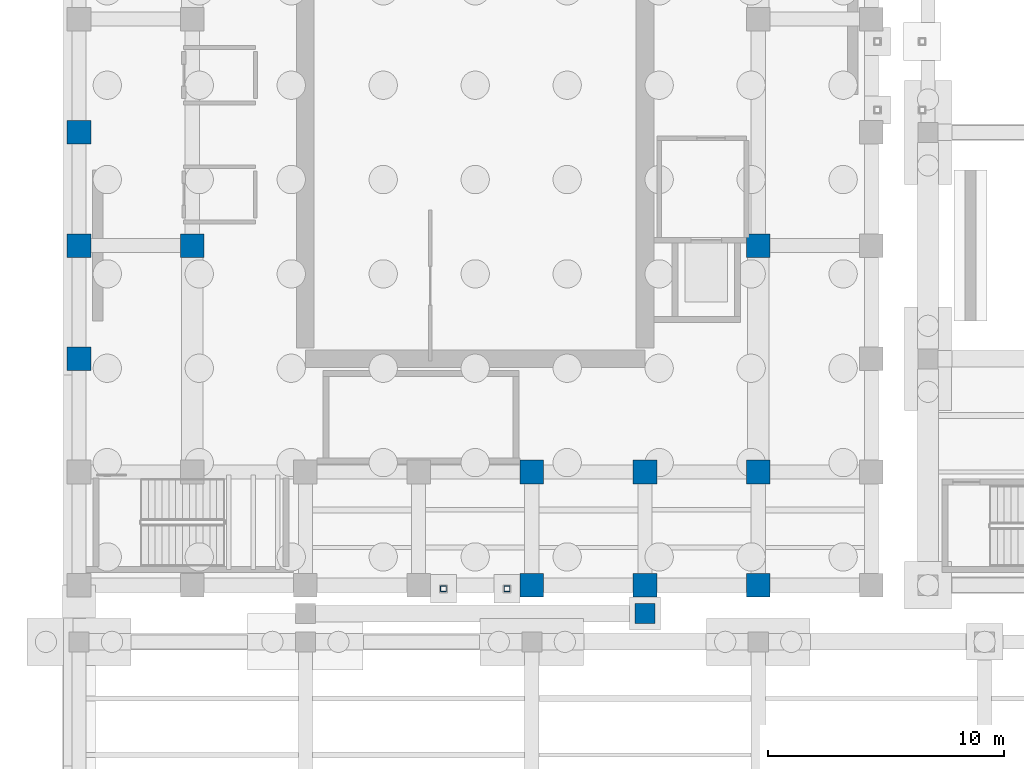
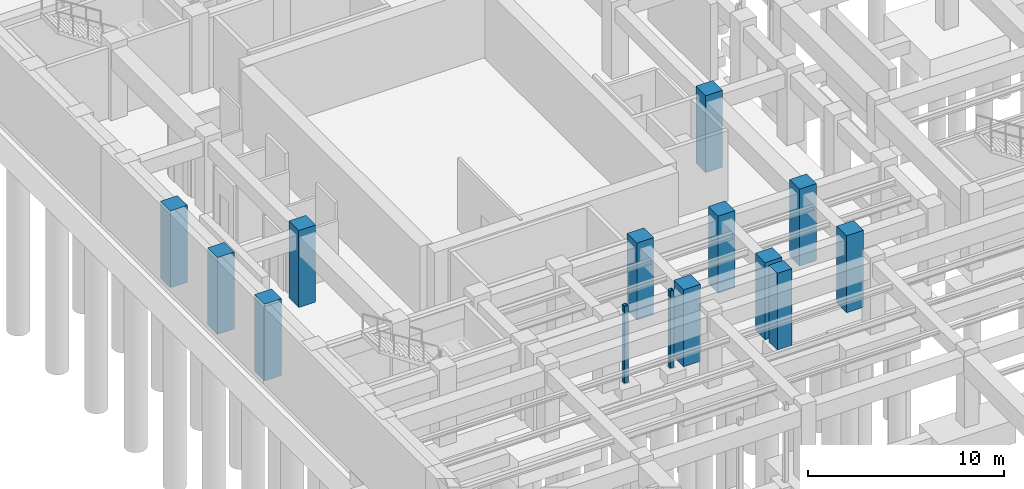
# One storey, part 15 of 56: 14 columns.
"""IFC4 building model written with IfcOpenShell, lengths in metres."""

from ifc_helpers import new_model, si_unit, direction, frame, origin, origin_2d, place, context, subcontext, project, spatial, rectangle, hollow_rectangle, extrude, material, material_profile, profile_set, type_object, element, save


model = new_model("IFC4")

# Units and contexts
model_context = context("Model", 3, precision=1e-05, world=origin(), true_north=direction((0.0, 1.0)))
body_context = subcontext(model_context, "Body", "Model", "MODEL_VIEW")
ifc_project = project(units=[si_unit("LENGTHUNIT", "METRE"), si_unit("AREAUNIT", "SQUARE_METRE"), si_unit("VOLUMEUNIT", "CUBIC_METRE"), si_unit("PLANEANGLEUNIT", "RADIAN"), si_unit("MASSUNIT", "GRAM", prefix="KILO")], contexts=[model_context])

# Site, building, storey
site_placement = place(None, origin())
site = spatial("IfcSite", under=ifc_project, at=site_placement, CompositionType="ELEMENT")
building_placement = place(site_placement, origin())
building = spatial("IfcBuilding", under=site, at=building_placement, Name="Mavantir Sound Aquarium", CompositionType="ELEMENT")
storey_placement = place(building_placement, frame((0.0, 0.0, -9.60009765625)))
storey = spatial("IfcBuildingStorey", under=building, at=storey_placement, Name="B2", CompositionType="ELEMENT", Elevation=-9.60009765625)

# Columns
ifc_material_1 = material(Name="Concrete C40/50", Category="concrete")
ifc_material_profile_1 = material_profile(ifc_material_1, rectangle(XDim=1.0, YDim=1.0, at=origin_2d()), Name="RC 1000X1000")
ifc_profile_set_1 = profile_set([ifc_material_profile_1], Name="Concrete C40/50")
column_type_1 = type_object("IfcColumnType", Name="COL-RC1000-E", PredefinedType="COLUMN", material=ifc_profile_set_1)
for number, where, z_axis, x_axis, name in (
    (1, (0.0, 50.39990234375, 0.0), (0.0, 0.0, 1.0), (1.0, 0.0, 0.0), "B2 column RC-C10 (V1)"),
    (2, (0.0, 55.199951171875, 0.0), (0.0, 0.0, 1.0), (1.0, 0.0, 0.0), "B2 column RC-C10 (V1)"),
    (3, (0.0, 60.0, 0.0), (0.0, 0.0, 1.0), (1.0, 0.0, 0.0), "B2 column RC-C10 (V1)"),
):
    element("IfcColumn", number, at=place(storey_placement, frame(where, z_axis=z_axis, x_axis=x_axis)), inside=storey, type_object=column_type_1, Name=name, PredefinedType="COLUMN", context=body_context, shape_type="SweptSolid", body=[
        extrude(rectangle(XDim=1.0, YDim=1.0, at=origin_2d()), origin(), (0.0, 0.0, 1.0), 4.800048828125),
    ])
ifc_material_profile_2 = material_profile(ifc_material_1, rectangle(XDim=1.0, YDim=1.0, at=origin_2d()), Name="RC 1000X1000")
ifc_profile_set_2 = profile_set([ifc_material_profile_2], Name="Concrete C40/50")
column_type_2 = type_object("IfcColumnType", Name="COL-RC1000-I", PredefinedType="COLUMN", material=ifc_profile_set_2)
for number, where, z_axis, x_axis, name in (
    (4, (4.800048828125, 55.199951171875, 0.0), (0.0, 0.0, 1.0), (1.0, 0.0, 0.0), "B2 column RC-C10 (V1)"),
    (5, (19.199951171875, 40.800048828125, 0.0), (0.0, 0.0, 1.0), (1.0, 0.0, 0.0), "B2 column RC-C10 (V1)"),
    (6, (19.199951171875, 45.60009765625, 0.0), (0.0, 0.0, 1.0), (1.0, 0.0, 0.0), "B2 column RC-C10 (V1)"),
    (7, (24.0, 40.800048828125, 0.0), (0.0, 0.0, 1.0), (1.0, 0.0, 0.0), "B2 column RC-C10 (V1)"),
    (8, (24.0, 45.60009765625, 0.0), (0.0, 0.0, 1.0), (1.0, 0.0, 0.0), "B2 column RC-C10 (V1)"),
    (9, (28.800048828125, 40.800048828125, 0.0), (0.0, 0.0, 1.0), (1.0, 0.0, 0.0), "B2 column RC-C10 (V1)"),
    (10, (28.800048828125, 45.60009765625, 0.0), (0.0, 0.0, 1.0), (1.0, 0.0, 0.0), "B2 column RC-C10 (V1)"),
    (11, (28.800048828125, 55.199951171875, 0.0), (0.0, 0.0, 1.0), (1.0, 0.0, 0.0), "B2 column RC-C10 (V1)"),
):
    element("IfcColumn", number, at=place(storey_placement, frame(where, z_axis=z_axis, x_axis=x_axis)), inside=storey, type_object=column_type_2, Name=name, PredefinedType="COLUMN", context=body_context, shape_type="SweptSolid", body=[
        extrude(rectangle(XDim=1.0, YDim=1.0, at=origin_2d()), origin(), (0.0, 0.0, 1.0), 4.800048828125),
    ])
ifc_material_profile_3 = material_profile(ifc_material_1, rectangle(XDim=0.85009765625, YDim=0.85009765625, at=origin_2d()), Name="RC 850X850")
ifc_profile_set_3 = profile_set([ifc_material_profile_3], Name="Concrete C40/50")
column_type_3 = type_object("IfcColumnType", Name="COL-RC850-I", PredefinedType="COLUMN", material=ifc_profile_set_3)
column_placement = place(storey_placement, frame((24.0, 39.60009765625, 0.0), z_axis=(0.0, 0.0, 1.0), x_axis=(1.0, 0.0, 0.0)))
element("IfcColumn", 12, at=column_placement, inside=storey, type_object=column_type_3, Name="B2 column RC-C85 (COURT)", PredefinedType="COLUMN", context=body_context, shape_type="SweptSolid", body=[
    extrude(rectangle(XDim=0.85009765625, YDim=0.85009765625, at=origin_2d()), origin(), (0.0, 0.0, 1.0), 4.800048828125),
])
ifc_material_2 = material(Name="Hollow Structural Steel ASTM A500 GrC", Category="steel")
ifc_material_profile_4 = material_profile(ifc_material_2, hollow_rectangle(XDim=0.25, YDim=0.25, WallThickness=0.012451171875, InnerFilletRadius=0.012451171875, OuterFilletRadius=0.02490234375, at=origin_2d()), Name="SHS 250X250X12.5")
ifc_profile_set_4 = profile_set([ifc_material_profile_4], Name="Hollow Structural Steel ASTM A500 GrC")
column_type_4 = type_object("IfcColumnType", Name="COL-SHS250-E", PredefinedType="COLUMN", material=ifc_profile_set_4)
for number, where, z_axis, x_axis, name in (
    (13, (15.449951171875, 40.64990234375, 0.0), (0.0, 0.0, 1.0), (1.0, 0.0, 0.0), "Bridge support column 2.2 (B2)"),
    (14, (18.14990234375, 40.64990234375, 0.0), (0.0, 0.0, 1.0), (1.0, 0.0, 0.0), "Bridge support column 2.4 (B2)"),
):
    element("IfcColumn", number, at=place(storey_placement, frame(where, z_axis=z_axis, x_axis=x_axis)), inside=storey, type_object=column_type_4, Name=name, PredefinedType="COLUMN", context=body_context, shape_type="SweptSolid", body=[
        extrude(hollow_rectangle(XDim=0.25, YDim=0.25, WallThickness=0.012451171875, InnerFilletRadius=0.012451171875, OuterFilletRadius=0.02490234375, at=origin_2d()), origin(), (0.0, 0.0, 1.0), 4.800048828125),
    ])

save(model, "model.ifc")
